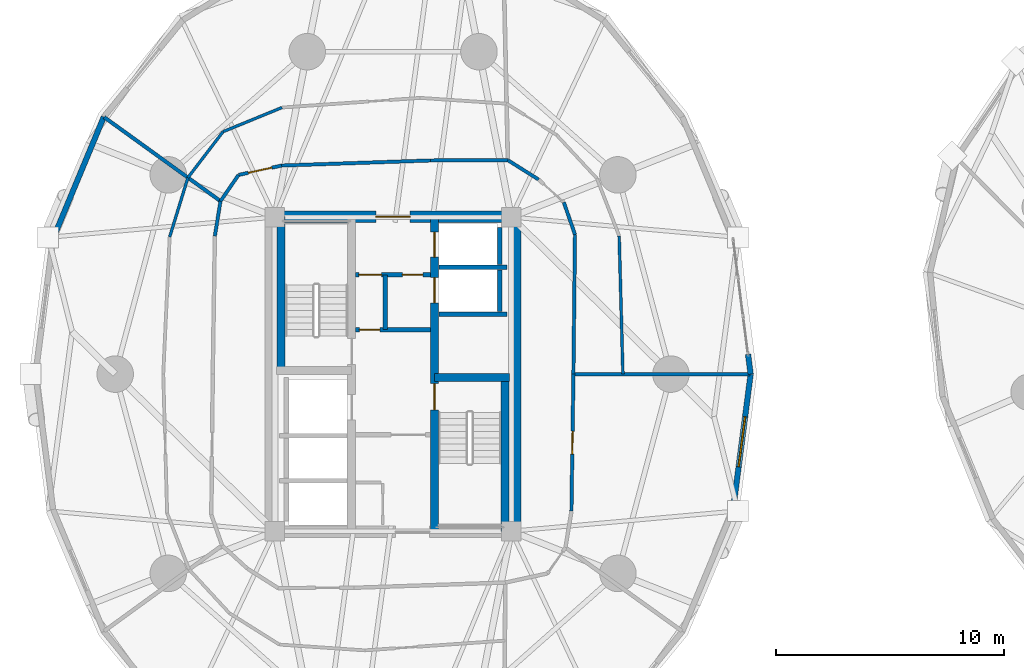
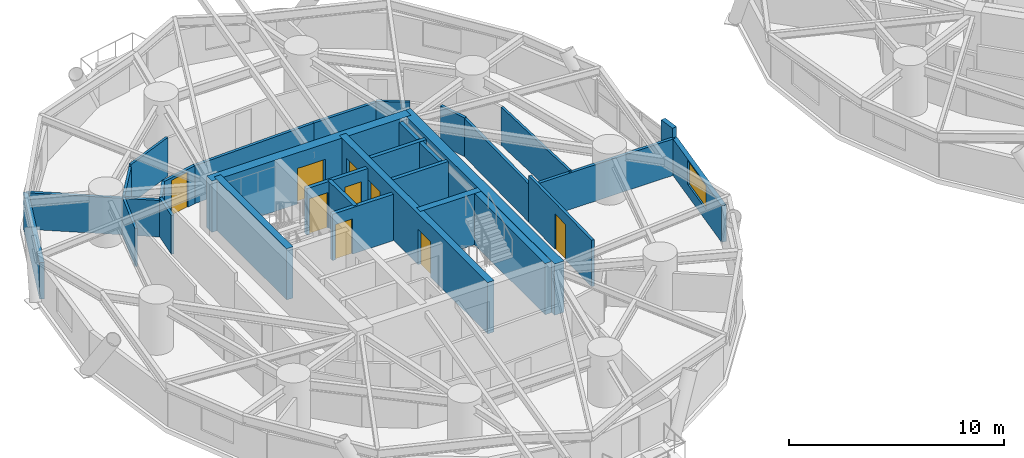
# One storey, part 11 of 18: 31 walls, 9 doors, 1 window, 10 openings.
"""IFC4 building model written with IfcOpenShell, lengths in metres."""

from ifc_helpers import new_model, si_unit, direction, frame, frame_2d, origin, place, context, subcontext, project, spatial, rectangle, extrude, source, transform, mapped, material, layer, layer_set, type_object, element, fill, save


model = new_model("IFC4")

# Units and contexts
model_context = context("Model", 3, precision=1e-05, world=origin(), true_north=direction((0.0, 1.0)))
body_context = subcontext(model_context, "Body", "Model", "MODEL_VIEW")
ifc_project = project(units=[si_unit("LENGTHUNIT", "METRE"), si_unit("AREAUNIT", "SQUARE_METRE"), si_unit("VOLUMEUNIT", "CUBIC_METRE"), si_unit("PLANEANGLEUNIT", "RADIAN"), si_unit("MASSUNIT", "GRAM", prefix="KILO")], contexts=[model_context])

# Site, building, storey
site_placement = place(None, origin())
site = spatial("IfcSite", under=ifc_project, at=site_placement, CompositionType="ELEMENT")
building_placement = place(site_placement, origin())
building = spatial("IfcBuilding", under=site, at=building_placement, Name="Cununo Teusaquillo Station Towers", CompositionType="ELEMENT")
storey_placement = place(building_placement, frame((0.0, 0.0, 56.919921875)))
storey = spatial("IfcBuildingStorey", under=building, at=storey_placement, Name="L17", CompositionType="ELEMENT", Elevation=56.919921875)

# Walls
ifc_material_1 = material(Name="Concrete C50/60", Category="concrete")
ifc_layer_1 = layer(ifc_material_1, 0.199951171875)
ifc_layer_set_1 = layer_set([ifc_layer_1], Name="Concrete C50/60")
wall_type_1 = type_object("IfcWallType", Name="WL-CORE-200", PredefinedType="SHEAR", material=ifc_layer_set_1)
for number, where, z_axis, x_axis, name in (
    (1, (18.510009765625, 27.1298828125, 0.0), (0.0, 0.0, 1.0), (1.0, 0.0, 0.0), "L17 Tower A Low-Rise Lift Hoistway South Shear Wall"),
    (2, (18.510009765625, 29.175048828125, 0.0), (0.0, 0.0, 1.0), (1.0, 0.0, 0.0), "L17 Tower A Low-Rise Lift Hoistway Divider Shear Wall"),
):
    element("IfcWall", number, at=place(storey_placement, frame(where, z_axis=z_axis, x_axis=x_axis)), inside=storey, type_object=wall_type_1, Name=name, PredefinedType="SHEAR", context=body_context, shape_type="SweptSolid", body=[
        extrude(rectangle(XDim=2.969970703125, YDim=0.199951171875, at=frame_2d((1.48486328125, 0.0))), origin(), (0.0, 0.0, 1.0), 2.91015625),
    ])
wall_1_placement = place(storey_placement, frame((21.179931640625, 27.25, 0.0), z_axis=(0.0, 0.0, 1.0), x_axis=(0.0, 1.0, 0.0)))
element("IfcWall", 3, at=wall_1_placement, inside=storey, type_object=wall_type_1, Name="L17 Tower A Low-Rise Lift 1 Shaft Rear Shear Wall", PredefinedType="SHEAR", context=body_context, shape_type="SweptSolid", body=[
    extrude(rectangle(XDim=1.804931640625, YDim=0.199951171875, at=frame_2d((0.90234375, 0.0))), origin(), (0.0, 0.0, 1.0), 2.91015625),
])
wall_2_placement = place(storey_placement, frame((21.179931640625, 29.294921875, 0.0), z_axis=(0.0, 0.0, 1.0), x_axis=(0.0, 1.0, 0.0)))
element("IfcWall", 4, at=wall_2_placement, inside=storey, type_object=wall_type_1, Name="L17 Tower A Low-Rise Lift 2 Shaft Rear Shear Wall", PredefinedType="SHEAR", context=body_context, shape_type="SweptSolid", body=[
    extrude(rectangle(XDim=1.635009765625, YDim=0.199951171875, at=frame_2d((0.8173828125, 0.0))), origin(), (0.0, 0.0, 1.0), 2.91015625),
])

# Wall, openings, doors
ifc_material_2 = material(Name="Concrete C50/60", Category="concrete")
ifc_layer_2 = layer(ifc_material_2, 0.35009765625)
ifc_layer_set_2 = layer_set([ifc_layer_2], Name="Concrete C50/60")
wall_type_2 = type_object("IfcWallType", Name="WL-CORE-350", PredefinedType="SHEAR", material=ifc_layer_set_2)
wall_3_placement = place(storey_placement, frame((18.31494140625, 17.60009765625, 0.0), z_axis=(0.0, 0.0, 1.0), x_axis=(0.0, 1.0, 0.0)))
wall_3 = element("IfcWall", 5, at=wall_3_placement, inside=storey, type_object=wall_type_2, Name="L17 Tower A Core Shear Wall IE", PredefinedType="SHEAR", context=body_context, shape_type="SweptSolid", body=[
    extrude(rectangle(XDim=13.7998046875, YDim=0.35009765625, at=frame_2d((6.89990234375, 0.0))), origin(), (0.0, 0.0, 1.0), 2.91015625),
])
shared_shape_1 = source(origin(), body_context, "Body", "SweptSolid", [
    extrude(rectangle(XDim=1.10009765625, YDim=2.014892578125, at=frame_2d((0.550048828125, 1.00732421875))), frame((0.0, 0.18505859375, 0.0), z_axis=(0.0, -1.0, 0.0), x_axis=(1.0, 0.0, 0.0)), (0.0, 0.0, 1.0), 0.3701171875),
])
opening_1_placement = place(wall_3_placement, frame((10.02490234375, 0.0, 0.0)))
opening_1 = element("IfcOpeningElement", 6, at=opening_1_placement, cuts=wall_3, Name="Opening LD-01", PredefinedType="OPENING", context=body_context, shape_type="MappedRepresentation", body=[
    mapped(shared_shape_1, transform((0.0, 0.0, 0.0), x_axis=(1.0, 0.0, 0.0), y_axis=(0.0, 1.0, 0.0), z_axis=(0.0, 0.0, 1.0), scale=1.0)),
])
opening_2_placement = place(wall_3_placement, frame((12.02490234375, 0.0, 0.0)))
opening_2 = element("IfcOpeningElement", 7, at=opening_2_placement, cuts=wall_3, Name="Opening LD-01", PredefinedType="OPENING", context=body_context, shape_type="MappedRepresentation", body=[
    mapped(shared_shape_1, transform((0.0, 0.0, 0.0), x_axis=(1.0, 0.0, 0.0), y_axis=(0.0, 1.0, 0.0), z_axis=(0.0, 0.0, 1.0), scale=1.0)),
])
shared_shape_2 = source(origin(), body_context, "Body", "SweptSolid", [
    extrude(rectangle(XDim=1.14990234375, YDim=2.02001953125, at=frame_2d((0.574951171875, 1.010009765625))), frame((0.0, 0.18505859375, 0.0), z_axis=(0.0, -1.0, 0.0), x_axis=(1.0, 0.0, 0.0)), (0.0, 0.0, 1.0), 0.3701171875),
])
opening_3_placement = place(wall_3_placement, frame((5.330078125, 0.0, 0.0)))
opening_3 = element("IfcOpeningElement", 8, at=opening_3_placement, cuts=wall_3, Name="Opening D-ST1", PredefinedType="OPENING", context=body_context, shape_type="MappedRepresentation", body=[
    mapped(shared_shape_2, transform((0.0, 0.0, 0.0), x_axis=(1.0, 0.0, 0.0), y_axis=(0.0, 1.0, 0.0), z_axis=(0.0, 0.0, 1.0), scale=1.0)),
])
ifc_material_3 = material(Name="Galvanised fire-rated hollow steel door assembly", Category="steel")
door_type_1 = type_object("IfcDoorType", Name="DR-LIFT-1100", OperationType="SLIDING_TO_LEFT", PredefinedType="DOOR", material=ifc_material_3)
shared_shape_3 = source(origin(), body_context, "Body", "SweptSolid", [
    extrude(rectangle(XDim=1.10009765625, YDim=2.014892578125, at=frame_2d((0.550048828125, 1.00732421875))), frame((0.0, 0.02490234375, 0.0), z_axis=(0.0, -1.0, 0.0), x_axis=(1.0, 0.0, 0.0)), (0.0, 0.0, 1.0), 0.050048828125),
])
door_1_placement = place(opening_1_placement, origin())
door_1 = element("IfcDoor", 9, at=door_1_placement, inside=storey, type_object=door_type_1, Name="L17 Lift PL-T1-L1 Sliding Landing Door", OperationType="SLIDING_TO_LEFT", OverallHeight=2.014892578125, OverallWidth=1.10009765625, PredefinedType="DOOR", context=body_context, shape_type="MappedRepresentation", body=[
    mapped(shared_shape_3, transform((0.0, 0.0, 0.0), x_axis=(1.0, 0.0, 0.0), y_axis=(0.0, 1.0, 0.0), z_axis=(0.0, 0.0, 1.0), scale=1.0)),
])
fill(opening_1, door_1)
door_2_placement = place(opening_2_placement, origin())
door_2 = element("IfcDoor", 10, at=door_2_placement, inside=storey, type_object=door_type_1, Name="L17 Lift PL-T1-L2 Sliding Landing Door", OperationType="SLIDING_TO_RIGHT", OverallHeight=2.014892578125, OverallWidth=1.10009765625, PredefinedType="DOOR", context=body_context, shape_type="MappedRepresentation", body=[
    mapped(shared_shape_3, transform((0.0, 0.0, 0.0), x_axis=(1.0, 0.0, 0.0), y_axis=(0.0, 1.0, 0.0), z_axis=(0.0, 0.0, 1.0), scale=1.0)),
])
fill(opening_2, door_2)
ifc_material_4 = material(Name="Galvanised fire-rated hollow steel door assembly", Category="steel")
door_type_2 = type_object("IfcDoorType", Name="DR-STAIR-1150", OperationType="NOTDEFINED", PredefinedType="DOOR", material=ifc_material_4)
shared_shape_4 = source(origin(), body_context, "Body", "SweptSolid", [
    extrude(rectangle(XDim=1.14990234375, YDim=2.02001953125, at=frame_2d((0.574951171875, 1.010009765625))), frame((0.0, 0.02490234375, 0.0), z_axis=(0.0, -1.0, 0.0), x_axis=(1.0, 0.0, 0.0)), (0.0, 0.0, 1.0), 0.050048828125),
])
door_3_placement = place(opening_3_placement, origin())
door_3 = element("IfcDoor", 11, at=door_3_placement, inside=storey, type_object=door_type_2, Name="L17 Tower A Exit Stair 2 Fire Door", OperationType="SINGLE_SWING_LEFT", OverallHeight=2.02001953125, OverallWidth=1.14990234375, PredefinedType="DOOR", context=body_context, shape_type="MappedRepresentation", body=[
    mapped(shared_shape_4, transform((0.0, 0.0, 0.0), x_axis=(1.0, 0.0, 0.0), y_axis=(0.0, 1.0, 0.0), z_axis=(0.0, 0.0, 1.0), scale=1.0)),
])
fill(opening_3, door_3)

# Walls
for number, where, z_axis, x_axis, name in (
    (12, (11.594970703125, 24.655029296875, 0.0), (0.0, 0.0, 1.0), (0.0, 1.0, 0.0), "L17 Tower A Core Shear Wall ST1W"),
    (13, (21.405029296875, 17.60009765625, 0.0), (0.0, 0.0, 1.0), (0.0, 1.0, 0.0), "L17 Tower A Core Shear Wall ST2E"),
):
    element("IfcWall", number, at=place(storey_placement, frame(where, z_axis=z_axis, x_axis=x_axis)), inside=storey, type_object=wall_type_2, Name=name, PredefinedType="SHEAR", context=body_context, shape_type="SweptSolid", body=[
        extrude(rectangle(XDim=6.744873046875, YDim=0.35009765625, at=frame_2d((3.37255859375, 0.0))), origin(), (0.0, 0.0, 1.0), 2.91015625),
    ])
wall_4_placement = place(storey_placement, frame((18.31494140625, 24.344970703125, 0.0), z_axis=(0.0, 0.0, 1.0), x_axis=(1.0, 0.0, 0.0)))
element("IfcWall", 14, at=wall_4_placement, inside=storey, type_object=wall_type_2, Name="L17 Tower A Core Shear Wall ST2N", PredefinedType="SHEAR", context=body_context, shape_type="SweptSolid", body=[
    extrude(rectangle(XDim=3.28515625, YDim=0.35009765625, at=frame_2d((1.642578125, 0.0))), origin(), (0.0, 0.0, 1.0), 2.91015625),
])
ifc_material_5 = material(Name="Concrete C60/75", Category="concrete")
ifc_layer_3 = layer(ifc_material_5, 0.5)
ifc_layer_set_3 = layer_set([ifc_layer_3], Name="Concrete C60/75")
wall_type_3 = type_object("IfcWallType", Name="WL-CORE-500", PredefinedType="SHEAR", material=ifc_layer_set_3)
wall_5_placement = place(storey_placement, frame((21.85009765625, 17.35009765625, 0.0), z_axis=(0.0, 0.0, 1.0), x_axis=(0.0, 1.0, 0.0)))
element("IfcWall", 15, at=wall_5_placement, inside=storey, type_object=wall_type_3, Name="L17 Tower A Core Shear Wall E", PredefinedType="SHEAR", context=body_context, shape_type="SweptSolid", body=[
    extrude(rectangle(XDim=14.2998046875, YDim=0.5, at=frame_2d((7.14990234375, 0.0))), origin(), (0.0, 0.0, 1.0), 2.91015625),
])

# Wall, opening, door
wall_6_placement = place(storey_placement, frame((11.14990234375, 31.39990234375, 0.0), z_axis=(0.0, 0.0, 1.0), x_axis=(1.0, 0.0, 0.0)))
wall_6 = element("IfcWall", 16, at=wall_6_placement, inside=storey, type_object=wall_type_3, Name="L17 Tower A Core Shear Wall N", PredefinedType="SHEAR", context=body_context, shape_type="SweptSolid", body=[
    extrude(rectangle(XDim=10.7001953125, YDim=0.5, at=frame_2d((5.35009765625, 0.0))), origin(), (0.0, 0.0, 1.0), 2.91015625),
])
shared_shape_5 = source(origin(), body_context, "Body", "SweptSolid", [
    extrude(rectangle(XDim=1.5, YDim=2.02001953125, at=frame_2d((0.75, 1.010009765625))), frame((0.0, 0.260009765625, 0.0), z_axis=(0.0, -1.0, 0.0), x_axis=(1.0, 0.0, 0.0)), (0.0, 0.0, 1.0), 0.52001953125),
])
opening_4_placement = place(wall_6_placement, frame((4.60009765625, 0.0, 0.0)))
opening_4 = element("IfcOpeningElement", 17, at=opening_4_placement, cuts=wall_6, Name="Opening D-LB1", PredefinedType="OPENING", context=body_context, shape_type="MappedRepresentation", body=[
    mapped(shared_shape_5, transform((0.0, 0.0, 0.0), x_axis=(1.0, 0.0, 0.0), y_axis=(0.0, 1.0, 0.0), z_axis=(0.0, 0.0, 1.0), scale=1.0)),
])
ifc_material_6 = material(Name="Galvanised fire-rated hollow steel door assembly", Category="steel")
door_type_3 = type_object("IfcDoorType", Name="DR-LOBBY-1500", OperationType="DOUBLE_DOOR_SINGLE_SWING", PredefinedType="DOOR", material=ifc_material_6)
shared_shape_6 = source(origin(), body_context, "Body", "SweptSolid", [
    extrude(rectangle(XDim=1.5, YDim=2.02001953125, at=frame_2d((0.75, 1.010009765625))), frame((0.0, 0.02490234375, 0.0), z_axis=(0.0, -1.0, 0.0), x_axis=(1.0, 0.0, 0.0)), (0.0, 0.0, 1.0), 0.050048828125),
])
door_4_placement = place(opening_4_placement, origin())
door_4 = element("IfcDoor", 18, at=door_4_placement, inside=storey, type_object=door_type_3, Name="L17 Tower A North Core Lift Lobby Door", OperationType="DOUBLE_DOOR_SINGLE_SWING", OverallHeight=2.02001953125, OverallWidth=1.5, PredefinedType="DOOR", context=body_context, shape_type="MappedRepresentation", body=[
    mapped(shared_shape_6, transform((0.0, 0.0, 0.0), x_axis=(1.0, 0.0, 0.0), y_axis=(0.0, 1.0, 0.0), z_axis=(0.0, 0.0, 1.0), scale=1.0)),
])
fill(opening_4, door_4)

# Walls
ifc_material_7 = material(Name="Precast concrete C40/50", Category="concrete")
ifc_layer_4 = layer(ifc_material_7, 0.239990234375)
ifc_layer_set_4 = layer_set([ifc_layer_4], Name="Precast concrete C40/50")
wall_type_4 = type_object("IfcWallType", Name="WL-EXT-240", PredefinedType="SOLIDWALL", material=ifc_layer_set_4)
wall_7_placement = place(storey_placement, frame((32.05126953125, 25.36279296875, 0.0), z_axis=(0.0, 0.0, 1.0), x_axis=(0.128523364007, -0.991706481225, 0.0)))
element("IfcWall", 19, at=wall_7_placement, inside=storey, type_object=wall_type_4, Name="L17 Tower A Column Pier Cladding Wall C00-PB", PredefinedType="SOLIDWALL", context=body_context, shape_type="SweptSolid", body=[
    extrude(rectangle(XDim=0.8701171875, YDim=0.239990234375, at=frame_2d((0.43505859375, 0.0))), origin(), (0.0, 0.0, 1.0), 2.635009765625),
])
wall_8_placement = place(storey_placement, frame((1.603515625, 30.423828125, 0.0), z_axis=(0.0, 0.0, 1.0), x_axis=(0.384348836956, 0.923187939442, 0.0)))
element("IfcWall", 20, at=wall_8_placement, inside=storey, type_object=wall_type_4, Name="L17 Tower A Exterior Facade Wall C08", PredefinedType="SOLIDWALL", context=body_context, shape_type="SweptSolid", body=[
    extrude(rectangle(XDim=5.78857421875, YDim=0.239990234375, at=frame_2d((2.894287109375, 0.0))), origin(), (0.0, 0.0, 1.0), 2.072998046875),
])

# Wall, opening, window
wall_9_placement = place(storey_placement, frame((32.1630859375, 24.5, 0.0), z_axis=(0.0, 0.0, 1.0), x_axis=(-0.128339641463, -0.991730274031, 0.0)))
wall_9 = element("IfcWall", 21, at=wall_9_placement, inside=storey, type_object=wall_type_4, Name="L17 Tower A Exterior Facade Wall C19", PredefinedType="SOLIDWALL", context=body_context, shape_type="SweptSolid", body=[
    extrude(rectangle(XDim=5.97314453125, YDim=0.239990234375, at=frame_2d((2.986572265625, 0.0))), origin(), (0.0, 0.0, 1.0), 2.072998046875),
])
shared_shape_7 = source(origin(), body_context, "Body", "SweptSolid", [
    extrude(rectangle(XDim=2.199951171875, YDim=1.35009765625, at=frame_2d((1.10009765625, 0.675048828125))), frame((0.0, 0.1298828125, 0.0), z_axis=(0.0, -1.0, 0.0), x_axis=(1.0, 0.0, 0.0)), (0.0, 0.0, 1.0), 0.260009765625),
])
opening_5_placement = place(wall_9_placement, frame((1.886962890625, 0.0, 0.64990234375)))
opening_5 = element("IfcOpeningElement", 22, at=opening_5_placement, cuts=wall_9, Name="Opening WN-01", PredefinedType="OPENING", context=body_context, shape_type="MappedRepresentation", body=[
    mapped(shared_shape_7, transform((0.0, 0.0, 0.0), x_axis=(1.0, 0.0, 0.0), y_axis=(0.0, 1.0, 0.0), z_axis=(0.0, 0.0, 1.0), scale=1.0)),
])
ifc_material_8 = material(Name="Ceramic-fritted dark low-E double glazing", Category="glass")
window_type = type_object("IfcWindowType", Name="WIN-FRIT-2200", PartitioningType="DOUBLE_PANEL_VERTICAL", PredefinedType="WINDOW", material=ifc_material_8)
shared_shape_8 = source(origin(), body_context, "Body", "SweptSolid", [
    extrude(rectangle(XDim=2.199951171875, YDim=1.35009765625, at=frame_2d((1.10009765625, 0.675048828125))), frame((0.0, 0.030029296875, 0.0), z_axis=(0.0, -1.0, 0.0), x_axis=(1.0, 0.0, 0.0)), (0.0, 0.0, 1.0), 0.06005859375),
])
window_placement = place(opening_5_placement, origin())
window = element("IfcWindow", 23, at=window_placement, inside=storey, type_object=window_type, Name="L17 Tower A Facade Window C19", OverallHeight=1.35009765625, OverallWidth=2.199951171875, PartitioningType="DOUBLE_PANEL_VERTICAL", PredefinedType="WINDOW", context=body_context, shape_type="MappedRepresentation", body=[
    mapped(shared_shape_8, transform((0.0, 0.0, 0.0), x_axis=(1.0, 0.0, 0.0), y_axis=(0.0, 1.0, 0.0), z_axis=(0.0, 0.0, 1.0), scale=1.0)),
])
fill(opening_5, window)

# Walls
ifc_material_9 = material(Name="Fire-rated gypsum plasterboard partition assembly", Category="gypsum")
ifc_layer_5 = layer(ifc_material_9, 0.125)
ifc_layer_set_5 = layer_set([ifc_layer_5], Name="Fire-rated gypsum plasterboard partition assembly")
wall_type_5 = type_object("IfcWallType", Name="WL-PART-125", PredefinedType="PARTITIONING", material=ifc_layer_set_5)
wall_10_placement = place(storey_placement, frame((26.568115234375, 24.5, 0.0), z_axis=(0.0, 0.0, 1.0), x_axis=(-0.027187947422, 0.999630339433, 0.0)))
element("IfcWall", 24, at=wall_10_placement, inside=storey, type_object=wall_type_5, Name="L17 Tower A Hotel Sky Conservatory Lounge Concentric Partition Wall C00", PredefinedType="PARTITIONING", context=body_context, shape_type="SweptSolid", body=[
    extrude(rectangle(XDim=6.061279296875, YDim=0.125, at=frame_2d((3.03076171875, 0.0))), origin(), (0.0, 0.0, 1.0), 2.1591796875),
])
wall_11_placement = place(storey_placement, frame((11.6328125, 36.17822265625, 0.0), z_axis=(0.0, 0.0, 1.0), x_axis=(-0.92528752303, -0.379266396779, 0.0)))
element("IfcWall", 25, at=wall_11_placement, inside=storey, type_object=wall_type_5, Name="L17 Tower A Hotel Private Banquet Salon Concentric Partition Wall C06", PredefinedType="PARTITIONING", context=body_context, shape_type="SweptSolid", body=[
    extrude(rectangle(XDim=2.79052734375, YDim=0.125, at=frame_2d((1.395263671875, 0.0))), origin(), (0.0, 0.0, 1.0), 2.205078125),
])
wall_12_placement = place(storey_placement, frame((9.05078125, 35.119873046875, 0.0), z_axis=(0.0, 0.0, 1.0), x_axis=(-0.607256827378, -0.79450559822, 0.0)))
element("IfcWall", 26, at=wall_12_placement, inside=storey, type_object=wall_type_5, Name="L17 Tower A Hotel Private Banquet Salon Concentric Partition Wall C07", PredefinedType="PARTITIONING", context=body_context, shape_type="SweptSolid", body=[
    extrude(rectangle(XDim=2.531982421875, YDim=0.125, at=frame_2d((1.26611328125, 0.0))), origin(), (0.0, 0.0, 1.0), 2.072998046875),
])
wall_13_placement = place(storey_placement, frame((7.51318359375, 33.108154296875, 0.0), z_axis=(0.0, 0.0, 1.0), x_axis=(-0.294167851511, -0.955753773279, 0.0)))
element("IfcWall", 27, at=wall_13_placement, inside=storey, type_object=wall_type_5, Name="L17 Tower A Hotel Concierge & Library Club Concentric Partition Wall C08", PredefinedType="PARTITIONING", context=body_context, shape_type="SweptSolid", body=[
    extrude(rectangle(XDim=2.7197265625, YDim=0.125, at=frame_2d((1.35986328125, 0.0))), origin(), (0.0, 0.0, 1.0), 2.1591796875),
])
ifc_material_10 = material(Name="Fire-rated gypsum plasterboard partition assembly", Category="gypsum")
ifc_layer_6 = layer(ifc_material_10, 0.14990234375)
ifc_layer_set_6 = layer_set([ifc_layer_6], Name="Fire-rated gypsum plasterboard partition assembly")
wall_type_6 = type_object("IfcWallType", Name="WL-PART-150", PredefinedType="PARTITIONING", material=ifc_layer_set_6)
wall_14_placement = place(storey_placement, frame((24.39990234375, 24.5, 0.0), z_axis=(0.0, 0.0, 1.0), x_axis=(0.011299841544, 0.999936154752, 0.0)))
element("IfcWall", 28, at=wall_14_placement, inside=storey, type_object=wall_type_6, Name="L17 Tower A Corridor Ring Wall C00", PredefinedType="PARTITIONING", context=body_context, shape_type="SweptSolid", body=[
    extrude(rectangle(XDim=6.114501953125, YDim=0.14990234375, at=frame_2d((3.05712890625, 0.0))), origin(), (0.0, 0.0, 1.0), 2.1591796875),
])
wall_15_placement = place(storey_placement, frame((24.468994140625, 30.614013671875, 0.0), z_axis=(0.0, 0.0, 1.0), x_axis=(-0.327228335485, 0.944945298129, 0.0)))
element("IfcWall", 29, at=wall_15_placement, inside=storey, type_object=wall_type_6, Name="L17 Tower A Corridor Ring Wall C01", PredefinedType="PARTITIONING", context=body_context, shape_type="SweptSolid", body=[
    extrude(rectangle(XDim=1.4951171875, YDim=0.14990234375, at=frame_2d((0.74755859375, 0.0))), origin(), (0.0, 0.0, 1.0), 2.205078125),
])
wall_16_placement = place(storey_placement, frame((22.87744140625, 33.021728515625, 0.0), z_axis=(0.0, 0.0, 1.0), x_axis=(-0.845895608855, 0.533348496689, 0.0)))
element("IfcWall", 30, at=wall_16_placement, inside=storey, type_object=wall_type_6, Name="L17 Tower A Corridor Ring Wall C03", PredefinedType="PARTITIONING", context=body_context, shape_type="SweptSolid", body=[
    extrude(rectangle(XDim=1.5966796875, YDim=0.14990234375, at=frame_2d((0.79833984375, 0.0))), origin(), (0.0, 0.0, 1.0), 2.205078125),
])
wall_17_placement = place(storey_placement, frame((21.52685546875, 33.873291015625, 0.0), z_axis=(0.0, 0.0, 1.0), x_axis=(-0.999991838845, -0.004040079574, 0.0)))
element("IfcWall", 31, at=wall_17_placement, inside=storey, type_object=wall_type_6, Name="L17 Tower A Corridor Ring Wall C04", PredefinedType="PARTITIONING", context=body_context, shape_type="SweptSolid", body=[
    extrude(rectangle(XDim=3.384033203125, YDim=0.14990234375, at=frame_2d((1.69189453125, 0.0))), origin(), (0.0, 0.0, 1.0), 2.1591796875),
])
wall_18_placement = place(storey_placement, frame((18.142822265625, 33.859619140625, 0.0), z_axis=(0.0, 0.0, 1.0), x_axis=(-0.999419208319, -0.034077060363, 0.0)))
element("IfcWall", 32, at=wall_18_placement, inside=storey, type_object=wall_type_6, Name="L17 Tower A Corridor Ring Wall C05", PredefinedType="PARTITIONING", context=body_context, shape_type="SweptSolid", body=[
    extrude(rectangle(XDim=6.52685546875, YDim=0.14990234375, at=frame_2d((3.263427734375, 0.0))), origin(), (0.0, 0.0, 1.0), 2.1591796875),
])

# Wall, opening, door
wall_19_placement = place(storey_placement, frame((11.619873046875, 33.63720703125, 0.0), z_axis=(0.0, 0.0, 1.0), x_axis=(-0.97702579435, -0.213121085711, 0.0)))
wall_19 = element("IfcWall", 33, at=wall_19_placement, inside=storey, type_object=wall_type_6, Name="L17 Tower A Corridor Ring Wall C06", PredefinedType="PARTITIONING", context=body_context, shape_type="SweptSolid", body=[
    extrude(rectangle(XDim=1.934814453125, YDim=0.14990234375, at=frame_2d((0.96728515625, 0.0))), origin(), (0.0, 0.0, 1.0), 2.1591796875),
])
shared_shape_9 = source(origin(), body_context, "Body", "SweptSolid", [
    extrude(rectangle(XDim=1.050048828125, YDim=2.014892578125, at=frame_2d((0.52490234375, 1.00732421875))), frame((0.0, 0.0849609375, 0.0), z_axis=(0.0, -1.0, 0.0), x_axis=(1.0, 0.0, 0.0)), (0.0, 0.0, 1.0), 0.169921875),
])
opening_6_placement = place(wall_19_placement, frame((0.4423828125, 0.0, 0.0)))
opening_6 = element("IfcOpeningElement", 34, at=opening_6_placement, cuts=wall_19, Name="Opening D-SU1", PredefinedType="OPENING", context=body_context, shape_type="MappedRepresentation", body=[
    mapped(shared_shape_9, transform((0.0, 0.0, 0.0), x_axis=(1.0, 0.0, 0.0), y_axis=(0.0, 1.0, 0.0), z_axis=(0.0, 0.0, 1.0), scale=1.0)),
])
ifc_material_11 = material(Name="Acoustic solid-core hardwood leaf assembly", Category="wood")
door_type_4 = type_object("IfcDoorType", Name="DR-SUITE-1050", OperationType="NOTDEFINED", PredefinedType="DOOR", material=ifc_material_11)
shared_shape_10 = source(origin(), body_context, "Body", "SweptSolid", [
    extrude(rectangle(XDim=1.050048828125, YDim=2.014892578125, at=frame_2d((0.52490234375, 1.00732421875))), frame((0.0, 0.02490234375, 0.0), z_axis=(0.0, -1.0, 0.0), x_axis=(1.0, 0.0, 0.0)), (0.0, 0.0, 1.0), 0.050048828125),
])
door_5_placement = place(opening_6_placement, origin())
door_5 = element("IfcDoor", 35, at=door_5_placement, inside=storey, type_object=door_type_4, Name="L17 Tower A Hotel Private Banquet Salon Entrance Door", OperationType="SINGLE_SWING_RIGHT", OverallHeight=2.014892578125, OverallWidth=1.050048828125, PredefinedType="DOOR", context=body_context, shape_type="MappedRepresentation", body=[
    mapped(shared_shape_10, transform((0.0, 0.0, 0.0), x_axis=(1.0, 0.0, 0.0), y_axis=(0.0, 1.0, 0.0), z_axis=(0.0, 0.0, 1.0), scale=1.0)),
])
fill(opening_6, door_5)

# Walls
wall_20_placement = place(storey_placement, frame((9.7294921875, 33.224853515625, 0.0), z_axis=(0.0, 0.0, 1.0), x_axis=(-0.567183649484, -0.82359134755, 0.0)))
element("IfcWall", 36, at=wall_20_placement, inside=storey, type_object=wall_type_6, Name="L17 Tower A Corridor Ring Wall C07", PredefinedType="PARTITIONING", context=body_context, shape_type="SweptSolid", body=[
    extrude(rectangle(XDim=1.39208984375, YDim=0.14990234375, at=frame_2d((0.696044921875, 0.0))), origin(), (0.0, 0.0, 1.0), 2.1591796875),
])
wall_21_placement = place(storey_placement, frame((8.93994140625, 32.078369140625, 0.0), z_axis=(0.0, 0.0, 1.0), x_axis=(-0.159148467753, -0.98725466077, 0.0)))
element("IfcWall", 37, at=wall_21_placement, inside=storey, type_object=wall_type_6, Name="L17 Tower A Corridor Ring Wall C08", PredefinedType="PARTITIONING", context=body_context, shape_type="SweptSolid", body=[
    extrude(rectangle(XDim=1.553955078125, YDim=0.14990234375, at=frame_2d((0.77685546875, 0.0))), origin(), (0.0, 0.0, 1.0), 2.205078125),
])

# Wall, opening, door
wall_22_placement = place(storey_placement, frame((24.3134765625, 18.496337890625, 0.0), z_axis=(0.0, 0.0, 1.0), x_axis=(0.014394019188, 0.999896400739, 0.0)))
wall_22 = element("IfcWall", 38, at=wall_22_placement, inside=storey, type_object=wall_type_6, Name="L17 Tower A Corridor Ring Wall C19", PredefinedType="PARTITIONING", context=body_context, shape_type="SweptSolid", body=[
    extrude(rectangle(XDim=6.00439453125, YDim=0.14990234375, at=frame_2d((3.002197265625, 0.0))), origin(), (0.0, 0.0, 1.0), 2.635009765625),
])
shared_shape_11 = source(origin(), body_context, "Body", "SweptSolid", [
    extrude(rectangle(XDim=1.0, YDim=2.014892578125, at=frame_2d((0.5, 1.00732421875))), frame((0.0, 0.0849609375, 0.0), z_axis=(0.0, -1.0, 0.0), x_axis=(1.0, 0.0, 0.0)), (0.0, 0.0, 1.0), 0.169921875),
])
opening_7_placement = place(wall_22_placement, frame((2.502197265625, 0.0, 0.0)))
opening_7 = element("IfcOpeningElement", 39, at=opening_7_placement, cuts=wall_22, Name="Opening D-AC1", PredefinedType="OPENING", context=body_context, shape_type="MappedRepresentation", body=[
    mapped(shared_shape_11, transform((0.0, 0.0, 0.0), x_axis=(1.0, 0.0, 0.0), y_axis=(0.0, 1.0, 0.0), z_axis=(0.0, 0.0, 1.0), scale=1.0)),
])
ifc_material_12 = material(Name="Acoustic solid-core hardwood leaf assembly", Category="wood")
door_type_5 = type_object("IfcDoorType", Name="DR-ACC-1000", OperationType="NOTDEFINED", PredefinedType="DOOR", material=ifc_material_12)
shared_shape_12 = source(origin(), body_context, "Body", "SweptSolid", [
    extrude(rectangle(XDim=1.0, YDim=2.014892578125, at=frame_2d((0.5, 1.00732421875))), frame((0.0, 0.02490234375, 0.0), z_axis=(0.0, -1.0, 0.0), x_axis=(1.0, 0.0, 0.0)), (0.0, 0.0, 1.0), 0.050048828125),
])
door_6_placement = place(opening_7_placement, origin())
door_6 = element("IfcDoor", 40, at=door_6_placement, inside=storey, type_object=door_type_5, Name="L17 Tower A Public Accessible Restroom WC Entrance Door", OperationType="SINGLE_SWING_LEFT", OverallHeight=2.014892578125, OverallWidth=1.0, PredefinedType="DOOR", context=body_context, shape_type="MappedRepresentation", body=[
    mapped(shared_shape_12, transform((0.0, 0.0, 0.0), x_axis=(1.0, 0.0, 0.0), y_axis=(0.0, 1.0, 0.0), z_axis=(0.0, 0.0, 1.0), scale=1.0)),
])
fill(opening_7, door_6)

# Walls
ifc_material_13 = material(Name="Fire-rated gypsum plasterboard partition assembly", Category="gypsum")
ifc_layer_7 = layer(ifc_material_13, 0.159912109375)
ifc_layer_set_7 = layer_set([ifc_layer_7], Name="Fire-rated gypsum plasterboard partition assembly")
wall_type_7 = type_object("IfcWallType", Name="WL-PART-160", PredefinedType="PARTITIONING", material=ifc_layer_set_7)
wall_23_placement = place(storey_placement, frame((24.39990234375, 24.5, 0.0), z_axis=(0.0, 0.0, 1.0), x_axis=(1.0, 0.0, 0.0)))
element("IfcWall", 41, at=wall_23_placement, inside=storey, type_object=wall_type_7, Name="L17 Tower A Radial Suite Partition R01", PredefinedType="PARTITIONING", context=body_context, shape_type="SweptSolid", body=[
    extrude(rectangle(XDim=7.7431640625, YDim=0.159912109375, at=frame_2d((3.87158203125, 0.0))), origin(), (0.0, 0.0, 1.0), 2.072998046875),
])
wall_24_placement = place(storey_placement, frame((8.93994140625, 32.078369140625, 0.0), z_axis=(0.0, 0.0, 1.0), x_axis=(-0.810854375189, 0.585247966453, 0.0)))
element("IfcWall", 42, at=wall_24_placement, inside=storey, type_object=wall_type_7, Name="L17 Tower A Radial Suite Partition R03", PredefinedType="PARTITIONING", context=body_context, shape_type="SweptSolid", body=[
    extrude(rectangle(XDim=6.2841796875, YDim=0.159912109375, at=frame_2d((3.14208984375, 0.0))), origin(), (0.0, 0.0, 1.0), 2.072998046875),
])

# Wall, opening, door
ifc_material_14 = material(Name="Fire-rated gypsum plasterboard partition assembly", Category="gypsum")
ifc_layer_8 = layer(ifc_material_14, 0.199951171875)
ifc_layer_set_8 = layer_set([ifc_layer_8], Name="Fire-rated gypsum plasterboard partition assembly")
wall_type_8 = type_object("IfcWallType", Name="WL-PART-200", PredefinedType="PARTITIONING", material=ifc_layer_set_8)
wall_25_placement = place(storey_placement, frame((14.860107421875, 26.449951171875, 0.0), z_axis=(0.0, 0.0, 1.0), x_axis=(1.0, 0.0, 0.0)))
wall_25 = element("IfcWall", 43, at=wall_25_placement, inside=storey, type_object=wall_type_8, Name="L17 Tower A Firefighting Lift Lobby North Fire Wall", PredefinedType="PARTITIONING", context=body_context, shape_type="SweptSolid", body=[
    extrude(rectangle(XDim=3.27978515625, YDim=0.199951171875, at=frame_2d((1.639892578125, 0.0))), origin(), (0.0, 0.0, 1.0), 2.635009765625),
])
shared_shape_13 = source(origin(), body_context, "Body", "SweptSolid", [
    extrude(rectangle(XDim=0.89990234375, YDim=2.0048828125, at=frame_2d((0.449951171875, 1.00244140625))), frame((0.0, 0.10986328125, 0.0), z_axis=(0.0, -1.0, 0.0), x_axis=(1.0, 0.0, 0.0)), (0.0, 0.0, 1.0), 0.219970703125),
])
opening_8_placement = place(wall_25_placement, frame((0.159912109375, 0.0, 0.0)))
opening_8 = element("IfcOpeningElement", 44, at=opening_8_placement, cuts=wall_25, Name="Opening D-SR1", PredefinedType="OPENING", context=body_context, shape_type="MappedRepresentation", body=[
    mapped(shared_shape_13, transform((0.0, 0.0, 0.0), x_axis=(1.0, 0.0, 0.0), y_axis=(0.0, 1.0, 0.0), z_axis=(0.0, 0.0, 1.0), scale=1.0)),
])
ifc_material_15 = material(Name="Galvanised fire-rated hollow steel door assembly", Category="steel")
door_type_6 = type_object("IfcDoorType", Name="DR-STORE-900", OperationType="NOTDEFINED", PredefinedType="DOOR", material=ifc_material_15)
shared_shape_14 = source(origin(), body_context, "Body", "SweptSolid", [
    extrude(rectangle(XDim=0.89990234375, YDim=2.0048828125, at=frame_2d((0.449951171875, 1.00244140625))), frame((0.0, 0.02490234375, 0.0), z_axis=(0.0, -1.0, 0.0), x_axis=(1.0, 0.0, 0.0)), (0.0, 0.0, 1.0), 0.050048828125),
])
door_7_placement = place(opening_8_placement, origin())
door_7 = element("IfcDoor", 45, at=door_7_placement, inside=storey, type_object=door_type_6, Name="L17 Tower A Stair 1 Protected Vestibule South Door", OperationType="SINGLE_SWING_RIGHT", OverallHeight=2.0048828125, OverallWidth=0.89990234375, PredefinedType="DOOR", context=body_context, shape_type="MappedRepresentation", body=[
    mapped(shared_shape_14, transform((0.0, 0.0, 0.0), x_axis=(1.0, 0.0, 0.0), y_axis=(0.0, 1.0, 0.0), z_axis=(0.0, 0.0, 1.0), scale=1.0)),
])
fill(opening_8, door_7)

# Wall
wall_26_placement = place(storey_placement, frame((16.14990234375, 26.449951171875, 0.0), z_axis=(0.0, 0.0, 1.0), x_axis=(0.0, 1.0, 0.0)))
element("IfcWall", 46, at=wall_26_placement, inside=storey, type_object=wall_type_8, Name="L17 Tower A Stair 1 Vestibule Partition Wall", PredefinedType="PARTITIONING", context=body_context, shape_type="SweptSolid", body=[
    extrude(rectangle(XDim=2.400146484375, YDim=0.199951171875, at=frame_2d((1.2001953125, 0.0))), origin(), (0.0, 0.0, 1.0), 2.635009765625),
])

# Wall, openings, doors
wall_27_placement = place(storey_placement, frame((14.860107421875, 28.85009765625, 0.0), z_axis=(0.0, 0.0, 1.0), x_axis=(1.0, 0.0, 0.0)))
wall_27 = element("IfcWall", 47, at=wall_27_placement, inside=storey, type_object=wall_type_8, Name="L17 Tower A North Lift Lobby South Fire Wall", PredefinedType="PARTITIONING", context=body_context, shape_type="SweptSolid", body=[
    extrude(rectangle(XDim=3.27978515625, YDim=0.199951171875, at=frame_2d((1.639892578125, 0.0))), origin(), (0.0, 0.0, 1.0), 2.635009765625),
])
shared_shape_15 = source(origin(), body_context, "Body", "SweptSolid", [
    extrude(rectangle(XDim=1.0, YDim=2.014892578125, at=frame_2d((0.5, 1.00732421875))), frame((0.0, 0.10986328125, 0.0), z_axis=(0.0, -1.0, 0.0), x_axis=(1.0, 0.0, 0.0)), (0.0, 0.0, 1.0), 0.219970703125),
])
opening_9_placement = place(wall_27_placement, frame((0.139892578125, 0.0, 0.0)))
opening_9 = element("IfcOpeningElement", 48, at=opening_9_placement, cuts=wall_27, Name="Opening D-AC1", PredefinedType="OPENING", context=body_context, shape_type="MappedRepresentation", body=[
    mapped(shared_shape_15, transform((0.0, 0.0, 0.0), x_axis=(1.0, 0.0, 0.0), y_axis=(0.0, 1.0, 0.0), z_axis=(0.0, 0.0, 1.0), scale=1.0)),
])
opening_10_placement = place(wall_27_placement, frame((2.050048828125, 0.0, 0.0)))
opening_10 = element("IfcOpeningElement", 49, at=opening_10_placement, cuts=wall_27, Name="Opening D-SR1", PredefinedType="OPENING", context=body_context, shape_type="MappedRepresentation", body=[
    mapped(shared_shape_13, transform((0.0, 0.0, 0.0), x_axis=(1.0, 0.0, 0.0), y_axis=(0.0, 1.0, 0.0), z_axis=(0.0, 0.0, 1.0), scale=1.0)),
])
door_8_placement = place(opening_10_placement, origin())
door_8 = element("IfcDoor", 50, at=door_8_placement, inside=storey, type_object=door_type_6, Name="L17 Tower A Core Housekeeping & Linen Store Door", OperationType="SINGLE_SWING_LEFT", OverallHeight=2.0048828125, OverallWidth=0.89990234375, PredefinedType="DOOR", context=body_context, shape_type="MappedRepresentation", body=[
    mapped(shared_shape_14, transform((0.0, 0.0, 0.0), x_axis=(1.0, 0.0, 0.0), y_axis=(0.0, 1.0, 0.0), z_axis=(0.0, 0.0, 1.0), scale=1.0)),
])
fill(opening_10, door_8)
door_9_placement = place(opening_9_placement, origin())
door_9 = element("IfcDoor", 51, at=door_9_placement, inside=storey, type_object=door_type_5, Name="L17 Tower A North Lift Lobby to Stair 1 Vestibule Door", OperationType="SINGLE_SWING_LEFT", OverallHeight=2.014892578125, OverallWidth=1.0, PredefinedType="DOOR", context=body_context, shape_type="MappedRepresentation", body=[
    mapped(shared_shape_12, transform((0.0, 0.0, 0.0), x_axis=(1.0, 0.0, 0.0), y_axis=(0.0, 1.0, 0.0), z_axis=(0.0, 0.0, 1.0), scale=1.0)),
])
fill(opening_9, door_9)

save(model, "model.ifc")
